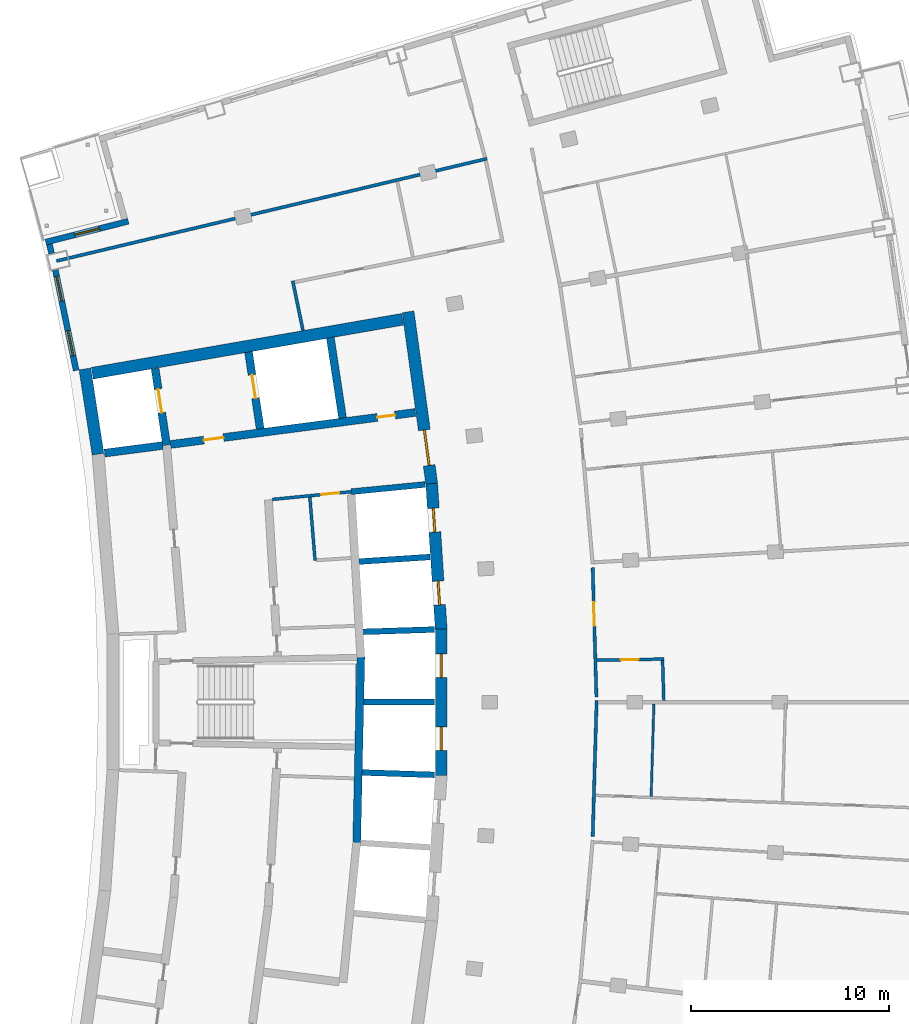
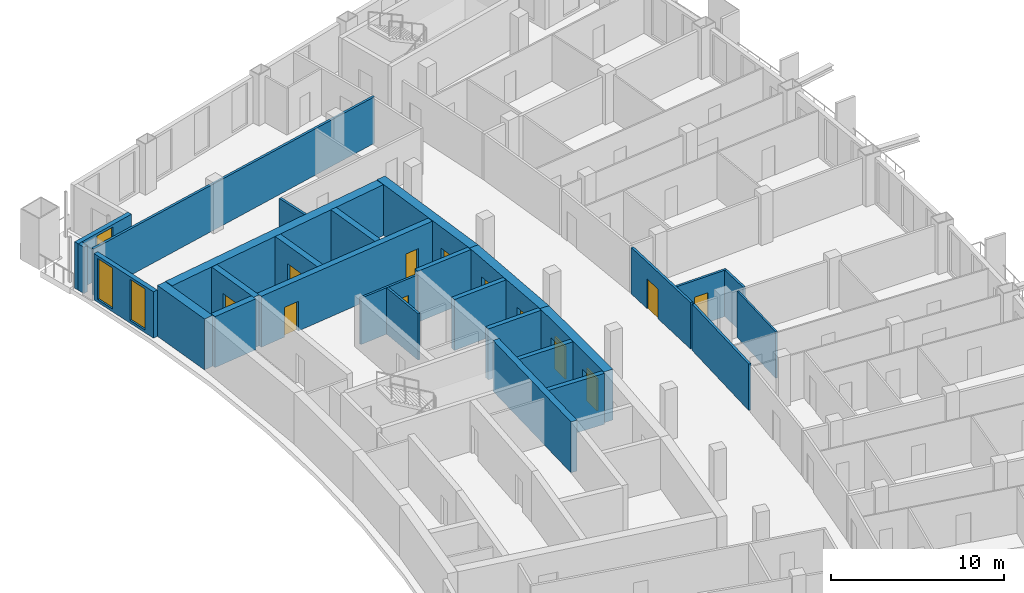
# One storey, part 12 of 17: 28 walls, 12 doors, 3 windows, 15 openings.
"""IFC4 building model written with IfcOpenShell, lengths in metres."""

from ifc_helpers import new_model, si_unit, direction, frame, frame_2d, origin, place, context, subcontext, project, spatial, rectangle, extrude, material, layer, layer_set, type_object, element, fill, save


model = new_model("IFC4")

# Units and contexts
model_context = context("Model", 3, precision=1e-05, world=origin(), true_north=direction((0.0, 1.0)))
body_context = subcontext(model_context, "Body", "Model", "MODEL_VIEW")
ifc_project = project(units=[si_unit("LENGTHUNIT", "METRE"), si_unit("AREAUNIT", "SQUARE_METRE"), si_unit("VOLUMEUNIT", "CUBIC_METRE"), si_unit("PLANEANGLEUNIT", "RADIAN"), si_unit("MASSUNIT", "GRAM", prefix="KILO")], contexts=[model_context])

# Site, building, storey
site_placement = place(None, origin())
site = spatial("IfcSite", under=ifc_project, at=site_placement, CompositionType="ELEMENT")
building_placement = place(site_placement, origin())
building = spatial("IfcBuilding", under=site, at=building_placement, Name="Alderwake Tower", CompositionType="ELEMENT")
storey_placement = place(building_placement, frame((0.0, 0.0, 214.39990234375)))
storey = spatial("IfcBuildingStorey", under=building, at=storey_placement, Name="L53", CompositionType="ELEMENT", Elevation=214.39990234375)

# Wall
ifc_material_1 = material(Name="Gypsum shaft wall system, rated")
ifc_layer_1 = layer(ifc_material_1, 0.14990234375)
ifc_layer_set_1 = layer_set([ifc_layer_1], Name="Core room partition 150")
wall_type_1 = type_object("IfcWallType", Name="Core room partition 150", PredefinedType="PARTITIONING", material=ifc_layer_set_1)
wall_1_placement = place(storey_placement, frame((26.9599609375, 68.170654296875, 0.0), z_axis=(0.0, 0.0, 1.0), x_axis=(-0.081803626558, 0.996648466954, 0.0)))
element("IfcWall", 1, at=wall_1_placement, inside=storey, type_object=wall_type_1, Name="CW/L53/PA+107_+70", PredefinedType="PARTITIONING", context=body_context, shape_type="SweptSolid", body=[
    extrude(rectangle(XDim=3.205322265625, YDim=0.14990234375, at=frame_2d((1.6025390625, 0.0))), origin(), (0.0, 0.0, 1.0), 3.280029296875),
])

# Wall, opening, door
wall_2_placement = place(storey_placement, frame((28.780517578125, 71.644287109375, 0.0), z_axis=(0.0, 0.0, 1.0), x_axis=(-0.995250000627, -0.097352125046, 0.0)))
wall_2 = element("IfcWall", 2, at=wall_2_placement, inside=storey, type_object=wall_type_1, Name="CW/L53/PR+102_+86", PredefinedType="PARTITIONING", context=body_context, shape_type="SweptSolid", body=[
    extrude(rectangle(XDim=4.0, YDim=0.14990234375, at=frame_2d((2.0, 0.0))), origin(), (0.0, 0.0, 1.0), 3.280029296875),
])
opening_1_placement = place(wall_2_placement, frame((0.60009765625, 0.0, 0.0)))
opening_1 = element("IfcOpeningElement", 3, at=opening_1_placement, cuts=wall_2, Name="Opening C022", PredefinedType="OPENING", context=body_context, shape_type="SweptSolid", body=[
    extrude(rectangle(XDim=0.89990234375, YDim=2.10009765625, at=frame_2d((0.449951171875, 1.050048828125))), frame((0.0, 0.0849609375, 0.0), z_axis=(0.0, -1.0, 0.0), x_axis=(1.0, 0.0, 0.0)), (0.0, 0.0, 1.0), 0.169921875),
])
ifc_material_2 = material(Name="Painted steel leaf", Category="steel")
door_type_1 = type_object("IfcDoorType", Name="Core room door 900", OperationType="SINGLE_SWING_LEFT", PredefinedType="DOOR", material=ifc_material_2)
door_1_placement = place(opening_1_placement, origin())
door_1 = element("IfcDoor", 4, at=door_1_placement, inside=storey, type_object=door_type_1, Name="Room door", OperationType="SINGLE_SWING_LEFT", OverallHeight=2.10009765625, OverallWidth=0.89990234375, PredefinedType="DOOR", context=body_context, shape_type="SweptSolid", body=[
    extrude(rectangle(XDim=0.89990234375, YDim=2.10009765625, at=frame_2d((0.449951171875, 1.050048828125))), frame((0.0, 0.02490234375, 0.0), z_axis=(0.0, -1.0, 0.0), x_axis=(1.0, 0.0, 0.0)), (0.0, 0.0, 1.0), 0.050048828125),
])
fill(opening_1, door_1)

# Wall
ifc_material_3 = material(Name="Concrete C70/85", Category="concrete")
ifc_layer_2 = layer(ifc_material_3, 0.60009765625)
ifc_layer_set_2 = layer_set([ifc_layer_2], Name="Core wall outer 600 C70-85")
wall_type_2 = type_object("IfcWallType", Name="Core wall outer 600 C70-85", PredefinedType="SHEAR", material=ifc_layer_set_2)
wall_3_placement = place(storey_placement, frame((15.984130859375, 73.54296875, 0.0), z_axis=(0.0, 0.0, 1.0), x_axis=(-0.151922578304, 0.988392396876, 0.0)))
element("IfcWall", 5, at=wall_3_placement, inside=storey, type_object=wall_type_2, Name="Core wall CW.034", PredefinedType="SHEAR", context=body_context, shape_type="SweptSolid", body=[
    extrude(rectangle(XDim=4.361328125, YDim=0.60009765625, at=frame_2d((2.1806640625, 0.0))), origin(), (0.0, 0.0, 1.0), 3.60009765625),
])

# Wall, openings, doors
wall_4_placement = place(storey_placement, frame((33.340087890625, 57.30322265625, 0.0), z_axis=(0.0, 0.0, 1.0), x_axis=(0.0, 1.0, 0.0)))
wall_4 = element("IfcWall", 6, at=wall_4_placement, inside=storey, type_object=wall_type_2, Name="Core wall CW.018", PredefinedType="SHEAR", context=body_context, shape_type="SweptSolid", body=[
    extrude(rectangle(XDim=7.3935546875, YDim=0.60009765625, at=frame_2d((3.69677734375, 0.0))), origin(), (0.0, 0.0, 1.0), 3.60009765625),
])
opening_2_placement = place(wall_4_placement, frame((1.25341796875, 0.0, 0.0)))
opening_2 = element("IfcOpeningElement", 7, at=opening_2_placement, cuts=wall_4, Name="Opening LD-HP3", PredefinedType="OPENING", context=body_context, shape_type="SweptSolid", body=[
    extrude(rectangle(XDim=1.199951171875, YDim=2.300048828125, at=frame_2d((0.60009765625, 1.14990234375))), frame((0.0, 0.31005859375, 0.0), z_axis=(0.0, -1.0, 0.0), x_axis=(1.0, 0.0, 0.0)), (0.0, 0.0, 1.0), 0.6201171875),
])
opening_3_placement = place(wall_4_placement, frame((4.940185546875, 0.0, 0.0)))
opening_3 = element("IfcOpeningElement", 8, at=opening_3_placement, cuts=wall_4, Name="Opening LD-HP4", PredefinedType="OPENING", context=body_context, shape_type="SweptSolid", body=[
    extrude(rectangle(XDim=1.199951171875, YDim=2.300048828125, at=frame_2d((0.60009765625, 1.14990234375))), frame((0.0, 0.31005859375, 0.0), z_axis=(0.0, -1.0, 0.0), x_axis=(1.0, 0.0, 0.0)), (0.0, 0.0, 1.0), 0.6201171875),
])
ifc_material_4 = material(Name="Stainless steel sliding leaf", Category="steel")
door_type_2 = type_object("IfcDoorType", Name="Lift landing door 1200", OperationType="SLIDING_TO_LEFT", PredefinedType="DOOR", material=ifc_material_4)
door_2_placement = place(opening_2_placement, origin())
door_2 = element("IfcDoor", 9, at=door_2_placement, inside=storey, type_object=door_type_2, Name="Lift landing door HP3", OperationType="SLIDING_TO_LEFT", OverallHeight=2.300048828125, OverallWidth=1.199951171875, PredefinedType="DOOR", context=body_context, shape_type="SweptSolid", body=[
    extrude(rectangle(XDim=1.199951171875, YDim=2.300048828125, at=frame_2d((0.60009765625, 1.14990234375))), frame((0.0, 0.050048828125, 0.0), z_axis=(0.0, -1.0, 0.0), x_axis=(1.0, 0.0, 0.0)), (0.0, 0.0, 1.0), 0.10009765625),
])
fill(opening_2, door_2)
door_3_placement = place(opening_3_placement, origin())
door_3 = element("IfcDoor", 10, at=door_3_placement, inside=storey, type_object=door_type_2, Name="Lift landing door HP4", OperationType="SLIDING_TO_LEFT", OverallHeight=2.300048828125, OverallWidth=1.199951171875, PredefinedType="DOOR", context=body_context, shape_type="SweptSolid", body=[
    extrude(rectangle(XDim=1.199951171875, YDim=2.300048828125, at=frame_2d((0.60009765625, 1.14990234375))), frame((0.0, 0.050048828125, 0.0), z_axis=(0.0, -1.0, 0.0), x_axis=(1.0, 0.0, 0.0)), (0.0, 0.0, 1.0), 0.10009765625),
])
fill(opening_3, door_3)

wall_5_placement = place(storey_placement, frame((33.3408203125, 64.67626953125, 0.0), z_axis=(0.0, 0.0, 1.0), x_axis=(-0.065013379938, 0.997884392317, 0.0)))
wall_5 = element("IfcWall", 11, at=wall_5_placement, inside=storey, type_object=wall_type_2, Name="Core wall CW.015", PredefinedType="SHEAR", context=body_context, shape_type="SweptSolid", body=[
    extrude(rectangle(XDim=7.39404296875, YDim=0.60009765625, at=frame_2d((3.697021484375, 0.0))), origin(), (0.0, 0.0, 1.0), 3.60009765625),
])
opening_4_placement = place(wall_5_placement, frame((1.253173828125, 0.0, 0.0)))
opening_4 = element("IfcOpeningElement", 12, at=opening_4_placement, cuts=wall_5, Name="Opening LD-HP5", PredefinedType="OPENING", context=body_context, shape_type="SweptSolid", body=[
    extrude(rectangle(XDim=1.199951171875, YDim=2.300048828125, at=frame_2d((0.60009765625, 1.14990234375))), frame((0.0, 0.31005859375, 0.0), z_axis=(0.0, -1.0, 0.0), x_axis=(1.0, 0.0, 0.0)), (0.0, 0.0, 1.0), 0.6201171875),
])
opening_5_placement = place(wall_5_placement, frame((4.940185546875, 0.0, 0.0)))
opening_5 = element("IfcOpeningElement", 13, at=opening_5_placement, cuts=wall_5, Name="Opening LD-HP6", PredefinedType="OPENING", context=body_context, shape_type="SweptSolid", body=[
    extrude(rectangle(XDim=1.199951171875, YDim=2.300048828125, at=frame_2d((0.60009765625, 1.14990234375))), frame((0.0, 0.31005859375, 0.0), z_axis=(0.0, -1.0, 0.0), x_axis=(1.0, 0.0, 0.0)), (0.0, 0.0, 1.0), 0.6201171875),
])
door_4_placement = place(opening_4_placement, origin())
door_4 = element("IfcDoor", 14, at=door_4_placement, inside=storey, type_object=door_type_2, Name="Lift landing door HP5", OperationType="SLIDING_TO_LEFT", OverallHeight=2.300048828125, OverallWidth=1.199951171875, PredefinedType="DOOR", context=body_context, shape_type="SweptSolid", body=[
    extrude(rectangle(XDim=1.199951171875, YDim=2.300048828125, at=frame_2d((0.60009765625, 1.14990234375))), frame((0.0, 0.050048828125, 0.0), z_axis=(0.0, -1.0, 0.0), x_axis=(1.0, 0.0, 0.0)), (0.0, 0.0, 1.0), 0.10009765625),
])
fill(opening_4, door_4)
door_5_placement = place(opening_5_placement, origin())
door_5 = element("IfcDoor", 15, at=door_5_placement, inside=storey, type_object=door_type_2, Name="Lift landing door HP6", OperationType="SLIDING_TO_LEFT", OverallHeight=2.300048828125, OverallWidth=1.199951171875, PredefinedType="DOOR", context=body_context, shape_type="SweptSolid", body=[
    extrude(rectangle(XDim=1.199951171875, YDim=2.300048828125, at=frame_2d((0.60009765625, 1.14990234375))), frame((0.0, 0.050048828125, 0.0), z_axis=(0.0, -1.0, 0.0), x_axis=(1.0, 0.0, 0.0)), (0.0, 0.0, 1.0), 0.10009765625),
])
fill(opening_5, door_5)

# Wall, opening, door
wall_6_placement = place(storey_placement, frame((31.66796875, 80.743896484375, 0.0), z_axis=(0.0, 0.0, 1.0), x_axis=(0.135856583698, -0.990728514108, 0.0)))
wall_6 = element("IfcWall", 16, at=wall_6_placement, inside=storey, type_object=wall_type_2, Name="Core wall CW.014", PredefinedType="SHEAR", context=body_context, shape_type="SweptSolid", body=[
    extrude(rectangle(XDim=8.79296875, YDim=0.60009765625, at=frame_2d((4.396484375, 0.0))), origin(), (0.0, 0.0, 1.0), 3.60009765625),
])
opening_6_placement = place(wall_6_placement, frame((6.038818359375, 0.0, 0.0)))
opening_6 = element("IfcOpeningElement", 17, at=opening_6_placement, cuts=wall_6, Name="Opening C001", PredefinedType="OPENING", context=body_context, shape_type="SweptSolid", body=[
    extrude(rectangle(XDim=1.800048828125, YDim=2.10009765625, at=frame_2d((0.89990234375, 1.050048828125))), frame((0.0, 0.31005859375, 0.0), z_axis=(0.0, -1.0, 0.0), x_axis=(1.0, 0.0, 0.0)), (0.0, 0.0, 1.0), 0.6201171875),
])
ifc_material_5 = material(Name="Steel-framed fire door leaves", Category="steel")
door_type_3 = type_object("IfcDoorType", Name="Core double door 1800 fire-rated", OperationType="DOUBLE_DOOR_SINGLE_SWING", PredefinedType="DOOR", material=ifc_material_5)
door_6_placement = place(opening_6_placement, origin())
door_6 = element("IfcDoor", 18, at=door_6_placement, inside=storey, type_object=door_type_3, Name="Lobby double door", OperationType="DOUBLE_DOOR_SINGLE_SWING", OverallHeight=2.10009765625, OverallWidth=1.800048828125, PredefinedType="DOOR", context=body_context, shape_type="SweptSolid", body=[
    extrude(rectangle(XDim=1.800048828125, YDim=2.10009765625, at=frame_2d((0.89990234375, 1.050048828125))), frame((0.0, 0.050048828125, 0.0), z_axis=(0.0, -1.0, 0.0), x_axis=(1.0, 0.0, 0.0)), (0.0, 0.0, 1.0), 0.10009765625),
])
fill(opening_6, door_6)

# Walls
wall_7_placement = place(storey_placement, frame((15.68896484375, 77.6357421875, 0.0), z_axis=(0.0, 0.0, 1.0), x_axis=(0.985223223422, 0.17127521721, 0.0)))
element("IfcWall", 19, at=wall_7_placement, inside=storey, type_object=wall_type_2, Name="Core wall CW.055", PredefinedType="SHEAR", context=body_context, shape_type="SweptSolid", body=[
    extrude(rectangle(XDim=15.933349609375, YDim=0.60009765625, at=frame_2d((7.966796875, 0.0))), origin(), (0.0, 0.0, 1.0), 3.60009765625),
])
ifc_material_6 = material(Name="Concrete C70/85", Category="concrete")
ifc_layer_3 = layer(ifc_material_6, 0.300048828125)
ifc_layer_set_3 = layer_set([ifc_layer_3], Name="Core wall shaft 300 C70-85")
wall_type_3 = type_object("IfcWallType", Name="Core wall shaft 300 C70-85", PredefinedType="SHEAR", material=ifc_layer_set_3)
wall_8_placement = place(storey_placement, frame((29.347412109375, 57.443603515625, 0.0), z_axis=(0.0, 0.0, 1.0), x_axis=(0.99946918462, -0.032578351638, 0.0)))
element("IfcWall", 20, at=wall_8_placement, inside=storey, type_object=wall_type_3, Name="Core wall CW.075", PredefinedType="SHEAR", context=body_context, shape_type="SweptSolid", body=[
    extrude(rectangle(XDim=3.66455078125, YDim=0.300048828125, at=frame_2d((1.832275390625, 0.0))), origin(), (0.0, 0.0, 1.0), 3.60009765625),
])
wall_9_placement = place(storey_placement, frame((29.426025390625, 61.0, 0.0), z_axis=(0.0, 0.0, 1.0), x_axis=(1.0, 0.0, 0.0)))
element("IfcWall", 21, at=wall_9_placement, inside=storey, type_object=wall_type_3, Name="Core wall CW.048", PredefinedType="SHEAR", context=body_context, shape_type="SweptSolid", body=[
    extrude(rectangle(XDim=3.583984375, YDim=0.300048828125, at=frame_2d((1.7919921875, 0.0))), origin(), (0.0, 0.0, 1.0), 3.60009765625),
])
wall_10_placement = place(storey_placement, frame((29.401611328125, 64.558349609375, 0.0), z_axis=(0.0, 0.0, 1.0), x_axis=(0.999470865009, 0.032526758191, 0.0)))
element("IfcWall", 22, at=wall_10_placement, inside=storey, type_object=wall_type_3, Name="Core wall CW.058", PredefinedType="SHEAR", context=body_context, shape_type="SweptSolid", body=[
    extrude(rectangle(XDim=3.6103515625, YDim=0.300048828125, at=frame_2d((1.80517578125, 0.0))), origin(), (0.0, 0.0, 1.0), 3.60009765625),
])
wall_11_placement = place(storey_placement, frame((29.193603515625, 68.110595703125, 0.0), z_axis=(0.0, 0.0, 1.0), x_axis=(0.997887597979, 0.064964157805, 0.0)))
element("IfcWall", 23, at=wall_11_placement, inside=storey, type_object=wall_type_3, Name="Core wall CW.061", PredefinedType="SHEAR", context=body_context, shape_type="SweptSolid", body=[
    extrude(rectangle(XDim=3.585205078125, YDim=0.300048828125, at=frame_2d((1.79248046875, 0.0))), origin(), (0.0, 0.0, 1.0), 3.60009765625),
])
wall_12_placement = place(storey_placement, frame((28.780517578125, 71.644287109375, 0.0), z_axis=(0.0, 0.0, 1.0), x_axis=(0.995245280185, 0.097400370992, 0.0)))
element("IfcWall", 24, at=wall_12_placement, inside=storey, type_object=wall_type_3, Name="Core wall CW.049", PredefinedType="SHEAR", context=body_context, shape_type="SweptSolid", body=[
    extrude(rectangle(XDim=3.769775390625, YDim=0.300048828125, at=frame_2d((1.884765625, 0.0))), origin(), (0.0, 0.0, 1.0), 3.60009765625),
])

# Wall, opening, door
ifc_material_7 = material(Name="Concrete C70/85", Category="concrete")
ifc_layer_4 = layer(ifc_material_7, 0.39990234375)
ifc_layer_set_4 = layer_set([ifc_layer_4], Name="Core wall spine 400 C70-85")
wall_type_4 = type_object("IfcWallType", Name="Core wall spine 400 C70-85", PredefinedType="SHEAR", material=ifc_layer_set_4)
wall_13_placement = place(storey_placement, frame((19.4541015625, 74.00048828125, 0.0), z_axis=(0.0, 0.0, 1.0), x_axis=(-0.148977743105, 0.98884054936, 0.0)))
wall_13 = element("IfcWall", 25, at=wall_13_placement, inside=storey, type_object=wall_type_4, Name="Core wall CW.030", PredefinedType="SHEAR", context=body_context, shape_type="SweptSolid", body=[
    extrude(rectangle(XDim=3.9150390625, YDim=0.39990234375, at=frame_2d((1.95751953125, 0.0))), origin(), (0.0, 0.0, 1.0), 3.60009765625),
])
opening_7_placement = place(wall_13_placement, frame((1.6611328125, 0.0, 0.0)))
opening_7 = element("IfcOpeningElement", 26, at=opening_7_placement, cuts=wall_13, Name="Opening LD-FF1", PredefinedType="OPENING", context=body_context, shape_type="SweptSolid", body=[
    extrude(rectangle(XDim=1.199951171875, YDim=2.300048828125, at=frame_2d((0.60009765625, 1.14990234375))), frame((0.0, 0.2099609375, 0.0), z_axis=(0.0, -1.0, 0.0), x_axis=(1.0, 0.0, 0.0)), (0.0, 0.0, 1.0), 0.419921875),
])
door_7_placement = place(opening_7_placement, origin())
door_7 = element("IfcDoor", 27, at=door_7_placement, inside=storey, type_object=door_type_2, Name="Lift landing door FF1", OperationType="SLIDING_TO_LEFT", OverallHeight=2.300048828125, OverallWidth=1.199951171875, PredefinedType="DOOR", context=body_context, shape_type="SweptSolid", body=[
    extrude(rectangle(XDim=1.199951171875, YDim=2.300048828125, at=frame_2d((0.60009765625, 1.14990234375))), frame((0.0, 0.02490234375, 0.0), z_axis=(0.0, -1.0, 0.0), x_axis=(1.0, 0.0, 0.0)), (0.0, 0.0, 1.0), 0.050048828125),
])
fill(opening_7, door_7)

wall_14_placement = place(storey_placement, frame((24.186279296875, 74.82861328125, 0.0), z_axis=(0.0, 0.0, 1.0), x_axis=(-0.150092938275, 0.988671891924, 0.0)))
wall_14 = element("IfcWall", 28, at=wall_14_placement, inside=storey, type_object=wall_type_4, Name="Core wall CW.044", PredefinedType="SHEAR", context=body_context, shape_type="SweptSolid", body=[
    extrude(rectangle(XDim=3.92333984375, YDim=0.39990234375, at=frame_2d((1.961669921875, 0.0))), origin(), (0.0, 0.0, 1.0), 3.60009765625),
])
opening_8_placement = place(wall_14_placement, frame((1.561767578125, 0.0, 0.0)))
opening_8 = element("IfcOpeningElement", 29, at=opening_8_placement, cuts=wall_14, Name="Opening LD-FF2", PredefinedType="OPENING", context=body_context, shape_type="SweptSolid", body=[
    extrude(rectangle(XDim=1.199951171875, YDim=2.300048828125, at=frame_2d((0.60009765625, 1.14990234375))), frame((0.0, 0.2099609375, 0.0), z_axis=(0.0, -1.0, 0.0), x_axis=(1.0, 0.0, 0.0)), (0.0, 0.0, 1.0), 0.419921875),
])
door_8_placement = place(opening_8_placement, origin())
door_8 = element("IfcDoor", 30, at=door_8_placement, inside=storey, type_object=door_type_2, Name="Lift landing door FF2", OperationType="SLIDING_TO_LEFT", OverallHeight=2.300048828125, OverallWidth=1.199951171875, PredefinedType="DOOR", context=body_context, shape_type="SweptSolid", body=[
    extrude(rectangle(XDim=1.199951171875, YDim=2.300048828125, at=frame_2d((0.60009765625, 1.14990234375))), frame((0.0, 0.02490234375, 0.0), z_axis=(0.0, -1.0, 0.0), x_axis=(1.0, 0.0, 0.0)), (0.0, 0.0, 1.0), 0.050048828125),
])
fill(opening_8, door_8)

# Walls
wall_15_placement = place(storey_placement, frame((29.06884765625, 53.889404296875, 0.0), z_axis=(0.0, 0.0, 1.0), x_axis=(0.022115148322, 0.9997554302, 0.0)))
element("IfcWall", 31, at=wall_15_placement, inside=storey, type_object=wall_type_4, Name="Core wall CW.008", PredefinedType="SHEAR", context=body_context, shape_type="SweptSolid", body=[
    extrude(rectangle(XDim=9.39453125, YDim=0.39990234375, at=frame_2d((4.697265625, 0.0))), origin(), (0.0, 0.0, 1.0), 3.60009765625),
])
wall_16_placement = place(storey_placement, frame((28.350830078125, 75.373291015625, 0.0), z_axis=(0.0, 0.0, 1.0), x_axis=(-0.150143035921, 0.988664285167, 0.0)))
element("IfcWall", 32, at=wall_16_placement, inside=storey, type_object=wall_type_4, Name="Core wall CW.001", PredefinedType="SHEAR", context=body_context, shape_type="SweptSolid", body=[
    extrude(rectangle(XDim=4.1123046875, YDim=0.39990234375, at=frame_2d((2.05615234375, 0.0))), origin(), (0.0, 0.0, 1.0), 3.60009765625),
])
wall_17_placement = place(storey_placement, frame((16.31005859375, 73.5966796875, 0.0), z_axis=(0.0, 0.0, 1.0), x_axis=(0.99155863891, 0.12965903595, 0.0)))
element("IfcWall", 33, at=wall_17_placement, inside=storey, type_object=wall_type_4, Name="Core wall CW.051", PredefinedType="SHEAR", context=body_context, shape_type="SweptSolid", body=[
    extrude(rectangle(XDim=2.969482421875, YDim=0.39990234375, at=frame_2d((1.48486328125, 0.0))), origin(), (0.0, 0.0, 1.0), 3.60009765625),
])

# Wall, openings, doors
wall_18_placement = place(storey_placement, frame((32.032958984375, 75.653076171875, 0.0), z_axis=(0.0, 0.0, 1.0), x_axis=(-0.991554886316, -0.129687730428, 0.0)))
wall_18 = element("IfcWall", 34, at=wall_18_placement, inside=storey, type_object=wall_type_4, Name="Core wall CW.052", PredefinedType="SHEAR", context=body_context, shape_type="SweptSolid", body=[
    extrude(rectangle(XDim=12.48681640625, YDim=0.39990234375, at=frame_2d((6.243408203125, 0.0))), origin(), (0.0, 0.0, 1.0), 3.60009765625),
])
opening_9_placement = place(wall_18_placement, frame((9.787109375, 0.0, 0.0)))
opening_9 = element("IfcOpeningElement", 35, at=opening_9_placement, cuts=wall_18, Name="Opening C002", PredefinedType="OPENING", context=body_context, shape_type="SweptSolid", body=[
    extrude(rectangle(XDim=1.0, YDim=2.10009765625, at=frame_2d((0.5, 1.050048828125))), frame((0.0, 0.2099609375, 0.0), z_axis=(0.0, -1.0, 0.0), x_axis=(1.0, 0.0, 0.0)), (0.0, 0.0, 1.0), 0.419921875),
])
opening_10_placement = place(wall_18_placement, frame((1.037109375, 0.0, 0.0)))
opening_10 = element("IfcOpeningElement", 36, at=opening_10_placement, cuts=wall_18, Name="Opening C020", PredefinedType="OPENING", context=body_context, shape_type="SweptSolid", body=[
    extrude(rectangle(XDim=0.89990234375, YDim=2.10009765625, at=frame_2d((0.449951171875, 1.050048828125))), frame((0.0, 0.2099609375, 0.0), z_axis=(0.0, -1.0, 0.0), x_axis=(1.0, 0.0, 0.0)), (0.0, 0.0, 1.0), 0.419921875),
])
door_9_placement = place(opening_10_placement, origin())
door_9 = element("IfcDoor", 37, at=door_9_placement, inside=storey, type_object=door_type_1, Name="Room door", OperationType="SINGLE_SWING_RIGHT", OverallHeight=2.10009765625, OverallWidth=0.89990234375, PredefinedType="DOOR", context=body_context, shape_type="SweptSolid", body=[
    extrude(rectangle(XDim=0.89990234375, YDim=2.10009765625, at=frame_2d((0.449951171875, 1.050048828125))), frame((0.0, 0.02490234375, 0.0), z_axis=(0.0, -1.0, 0.0), x_axis=(1.0, 0.0, 0.0)), (0.0, 0.0, 1.0), 0.050048828125),
])
fill(opening_10, door_9)
ifc_material_8 = material(Name="Steel-framed fire door leaf", Category="steel")
door_type_4 = type_object("IfcDoorType", Name="Firefighting lobby door 1000 fire-rated", OperationType="SINGLE_SWING_LEFT", PredefinedType="DOOR", material=ifc_material_8)
door_10_placement = place(opening_9_placement, origin())
door_10 = element("IfcDoor", 38, at=door_10_placement, inside=storey, type_object=door_type_4, Name="Firefighting lobby door", OperationType="SINGLE_SWING_RIGHT", OverallHeight=2.10009765625, OverallWidth=1.0, PredefinedType="DOOR", context=body_context, shape_type="SweptSolid", body=[
    extrude(rectangle(XDim=1.0, YDim=2.10009765625, at=frame_2d((0.5, 1.050048828125))), frame((0.0, 0.02490234375, 0.0), z_axis=(0.0, -1.0, 0.0), x_axis=(1.0, 0.0, 0.0)), (0.0, 0.0, 1.0), 0.050048828125),
])
fill(opening_9, door_10)

# Walls
ifc_material_9 = material(Name="Gypsum board on metal studs, rated")
ifc_layer_5 = layer(ifc_material_9, 0.159912109375)
ifc_layer_set_5 = layer_set([ifc_layer_5], Name="Corridor wall 160")
wall_type_5 = type_object("IfcWallType", Name="Corridor wall 160", PredefinedType="PARTITIONING", material=ifc_layer_set_5)
wall_19_placement = place(storey_placement, frame((13.884033203125, 83.31298828125, 0.0), z_axis=(0.0, 0.0, 1.0), x_axis=(0.972893462073, 0.231253781493, 0.0)))
element("IfcWall", 39, at=wall_19_placement, inside=storey, type_object=wall_type_5, Name="WL/L53/W09", PredefinedType="PARTITIONING", context=body_context, shape_type="SweptSolid", body=[
    extrude(rectangle(XDim=22.38037109375, YDim=0.159912109375, at=frame_2d((11.190185546875, 0.0))), origin(), (0.0, 0.0, 1.0), 3.280029296875),
])
wall_20_placement = place(storey_placement, frame((25.831787109375, 82.305419921875, 0.0), z_axis=(0.0, 0.0, 1.0), x_axis=(0.202450797205, -0.979292435747, 0.0)))
element("IfcWall", 40, at=wall_20_placement, inside=storey, type_object=wall_type_5, Name="WL/L53/W12", PredefinedType="PARTITIONING", context=body_context, shape_type="SweptSolid", body=[
    extrude(rectangle(XDim=2.555419921875, YDim=0.159912109375, at=frame_2d((1.27783203125, 0.0))), origin(), (0.0, 0.0, 1.0), 3.280029296875),
])
wall_21_placement = place(storey_placement, frame((41.002685546875, 54.20068359375, 0.0), z_axis=(0.0, 0.0, 1.0), x_axis=(0.028879835058, 0.999582890573, 0.0)))
element("IfcWall", 41, at=wall_21_placement, inside=storey, type_object=wall_type_5, Name="WL/L53/W23", PredefinedType="PARTITIONING", context=body_context, shape_type="SweptSolid", body=[
    extrude(rectangle(XDim=6.88134765625, YDim=0.159912109375, at=frame_2d((3.440673828125, 0.0))), origin(), (0.0, 0.0, 1.0), 3.280029296875),
])

# Wall, opening, door
wall_22_placement = place(storey_placement, frame((41.002685546875, 67.80029296875, 0.0), z_axis=(0.0, 0.0, 1.0), x_axis=(0.02886788617, -0.999583235728, 0.0)))
wall_22 = element("IfcWall", 42, at=wall_22_placement, inside=storey, type_object=wall_type_5, Name="WL/L53/W25", PredefinedType="PARTITIONING", context=body_context, shape_type="SweptSolid", body=[
    extrude(rectangle(XDim=6.537353515625, YDim=0.159912109375, at=frame_2d((3.2685546875, 0.0))), origin(), (0.0, 0.0, 1.0), 3.280029296875),
])
opening_11_placement = place(wall_22_placement, frame((1.7412109375, 0.0, 0.0)))
opening_11 = element("IfcOpeningElement", 43, at=opening_11_placement, cuts=wall_22, Name="Opening R15-AM1.1", PredefinedType="OPENING", context=body_context, shape_type="SweptSolid", body=[
    extrude(rectangle(XDim=1.199951171875, YDim=2.10009765625, at=frame_2d((0.60009765625, 1.050048828125))), frame((0.0, 0.08984375, 0.0), z_axis=(0.0, -1.0, 0.0), x_axis=(1.0, 0.0, 0.0)), (0.0, 0.0, 1.0), 0.179931640625),
])
ifc_material_10 = material(Name="Steel-framed fire door leaf", Category="steel")
door_type_5 = type_object("IfcDoorType", Name="Lobby door 1200 fire-rated", OperationType="SINGLE_SWING_LEFT", PredefinedType="DOOR", material=ifc_material_10)
door_11_placement = place(opening_11_placement, origin())
door_11 = element("IfcDoor", 44, at=door_11_placement, inside=storey, type_object=door_type_5, Name="DR/L53/AM1.1", OperationType="SINGLE_SWING_LEFT", OverallHeight=2.10009765625, OverallWidth=1.199951171875, PredefinedType="DOOR", context=body_context, shape_type="SweptSolid", body=[
    extrude(rectangle(XDim=1.199951171875, YDim=2.10009765625, at=frame_2d((0.60009765625, 1.050048828125))), frame((0.0, 0.02490234375, 0.0), z_axis=(0.0, -1.0, 0.0), x_axis=(1.0, 0.0, 0.0)), (0.0, 0.0, 1.0), 0.050048828125),
])
fill(opening_11, door_11)

# Wall
ifc_material_11 = material(Name="Precast concrete C50/60 spandrel panel", Category="concrete")
ifc_layer_6 = layer(ifc_material_11, 0.300048828125)
ifc_layer_set_6 = layer_set([ifc_layer_6], Name="External wall EW1 Precast concrete C50/60 spandrel")
wall_type_6 = type_object("IfcWallType", Name="External wall EW1 Precast concrete C50/60 spandrel", PredefinedType="SOLIDWALL", material=ifc_layer_set_6)
wall_23_placement = place(storey_placement, frame((13.523193359375, 84.1572265625, 0.0), z_axis=(0.0, 0.0, 1.0), x_axis=(0.238448700846, -0.971155094238, 0.0)))
element("IfcWall", 45, at=wall_23_placement, inside=storey, type_object=wall_type_6, Name="External wall 30", PredefinedType="SOLIDWALL", context=body_context, shape_type="SweptSolid", body=[
    extrude(rectangle(XDim=0.47802734375, YDim=0.300048828125, at=frame_2d((0.239013671875, 0.0))), origin(), (0.0, 0.0, 1.0), 3.280029296875),
])

# Wall, openings, windows
wall_24_placement = place(storey_placement, frame((13.826904296875, 82.8544921875, 0.0), z_axis=(0.0, 0.0, 1.0), x_axis=(0.202730149235, -0.979234643276, 0.0)))
wall_24 = element("IfcWall", 46, at=wall_24_placement, inside=storey, type_object=wall_type_6, Name="External wall 31", PredefinedType="SOLIDWALL", context=body_context, shape_type="SweptSolid", body=[
    extrude(rectangle(XDim=5.185546875, YDim=0.300048828125, at=frame_2d((2.5927734375, 0.0))), origin(), (0.0, 0.0, 1.0), 3.280029296875),
])
opening_12_placement = place(wall_24_placement, frame((0.316162109375, 0.0, 0.199951171875)))
opening_12 = element("IfcOpeningElement", 47, at=opening_12_placement, cuts=wall_24, Name="Opening W1", PredefinedType="OPENING", context=body_context, shape_type="SweptSolid", body=[
    extrude(rectangle(XDim=1.300048828125, YDim=2.89990234375, at=frame_2d((0.64990234375, 1.449951171875))), frame((0.0, 0.159912109375, 0.0), z_axis=(0.0, -1.0, 0.0), x_axis=(1.0, 0.0, 0.0)), (0.0, 0.0, 1.0), 0.320068359375),
])
opening_13_placement = place(wall_24_placement, frame((3.12890625, 0.0, 0.199951171875)))
opening_13 = element("IfcOpeningElement", 48, at=opening_13_placement, cuts=wall_24, Name="Opening W1", PredefinedType="OPENING", context=body_context, shape_type="SweptSolid", body=[
    extrude(rectangle(XDim=1.300048828125, YDim=2.89990234375, at=frame_2d((0.64990234375, 1.449951171875))), frame((0.0, 0.159912109375, 0.0), z_axis=(0.0, -1.0, 0.0), x_axis=(1.0, 0.0, 0.0)), (0.0, 0.0, 1.0), 0.320068359375),
])
ifc_material_12 = material(Name="Bronze tinted glass in aluminium frame", Category="aluminium")
window_type = type_object("IfcWindowType", Name="Window W1 tall fixed and vent", PartitioningType="DOUBLE_PANEL_VERTICAL", PredefinedType="WINDOW", material=ifc_material_12)
window_1_placement = place(opening_12_placement, origin())
window_1 = element("IfcWindow", 49, at=window_1_placement, inside=storey, type_object=window_type, Name="Window W1 tall fixed and vent", OverallHeight=2.89990234375, OverallWidth=1.300048828125, PartitioningType="DOUBLE_PANEL_VERTICAL", PredefinedType="WINDOW", context=body_context, shape_type="SweptSolid", body=[
    extrude(rectangle(XDim=1.300048828125, YDim=2.89990234375, at=frame_2d((0.64990234375, 1.449951171875))), frame((0.0, 0.030029296875, 0.0), z_axis=(0.0, -1.0, 0.0), x_axis=(1.0, 0.0, 0.0)), (0.0, 0.0, 1.0), 0.06005859375),
])
fill(opening_12, window_1)
window_2_placement = place(opening_13_placement, origin())
window_2 = element("IfcWindow", 50, at=window_2_placement, inside=storey, type_object=window_type, Name="Window W1 tall fixed and vent", OverallHeight=2.89990234375, OverallWidth=1.300048828125, PartitioningType="DOUBLE_PANEL_VERTICAL", PredefinedType="WINDOW", context=body_context, shape_type="SweptSolid", body=[
    extrude(rectangle(XDim=1.300048828125, YDim=2.89990234375, at=frame_2d((0.64990234375, 1.449951171875))), frame((0.0, 0.030029296875, 0.0), z_axis=(0.0, -1.0, 0.0), x_axis=(1.0, 0.0, 0.0)), (0.0, 0.0, 1.0), 0.06005859375),
])
fill(opening_13, window_2)

# Wall, opening, window
ifc_material_13 = material(Name="Bronze metal cladding on lightweight framing")
ifc_layer_7 = layer(ifc_material_13, 0.300048828125)
ifc_layer_set_7 = layer_set([ifc_layer_7], Name="External wall EW2 bronze metal cladding")
wall_type_7 = type_object("IfcWallType", Name="External wall EW2 bronze metal cladding", PredefinedType="SOLIDWALL", material=ifc_layer_set_7)
wall_25_placement = place(storey_placement, frame((17.51611328125, 85.32275390625, 0.0), z_axis=(0.0, 0.0, 1.0), x_axis=(-0.969417740682, -0.245416470617, 0.0)))
wall_25 = element("IfcWall", 51, at=wall_25_placement, inside=storey, type_object=wall_type_7, Name="External wall 29", PredefinedType="SOLIDWALL", context=body_context, shape_type="SweptSolid", body=[
    extrude(rectangle(XDim=4.305419921875, YDim=0.300048828125, at=frame_2d((2.15283203125, 0.0))), origin(), (0.0, 0.0, 1.0), 3.280029296875),
])
opening_14_placement = place(wall_25_placement, frame((1.502685546875, 0.0, 0.199951171875)))
opening_14 = element("IfcOpeningElement", 52, at=opening_14_placement, cuts=wall_25, Name="Opening W1", PredefinedType="OPENING", context=body_context, shape_type="SweptSolid", body=[
    extrude(rectangle(XDim=1.300048828125, YDim=2.89990234375, at=frame_2d((0.64990234375, 1.449951171875))), frame((0.0, 0.159912109375, 0.0), z_axis=(0.0, -1.0, 0.0), x_axis=(1.0, 0.0, 0.0)), (0.0, 0.0, 1.0), 0.320068359375),
])
window_3_placement = place(opening_14_placement, origin())
window_3 = element("IfcWindow", 53, at=window_3_placement, inside=storey, type_object=window_type, Name="Window W1 tall fixed and vent", OverallHeight=2.89990234375, OverallWidth=1.300048828125, PartitioningType="DOUBLE_PANEL_VERTICAL", PredefinedType="WINDOW", context=body_context, shape_type="SweptSolid", body=[
    extrude(rectangle(XDim=1.300048828125, YDim=2.89990234375, at=frame_2d((0.64990234375, 1.449951171875))), frame((0.0, 0.030029296875, 0.0), z_axis=(0.0, -1.0, 0.0), x_axis=(1.0, 0.0, 0.0)), (0.0, 0.0, 1.0), 0.06005859375),
])
fill(opening_14, window_3)

# Wall, opening, door
ifc_material_14 = material(Name="Gypsum shaft wall system, rated")
ifc_layer_8 = layer(ifc_material_14, 0.14990234375)
ifc_layer_set_8 = layer_set([ifc_layer_8], Name="Riser and shaft wall 150")
wall_type_8 = type_object("IfcWallType", Name="Riser and shaft wall 150", PredefinedType="PARTITIONING", material=ifc_layer_set_8)
wall_26_placement = place(storey_placement, frame((44.610107421875, 63.181396484375, 0.0), z_axis=(0.0, 0.0, 1.0), x_axis=(-0.999843204507, -0.017707806214, 0.0)))
wall_26 = element("IfcWall", 54, at=wall_26_placement, inside=storey, type_object=wall_type_8, Name="WL/L53/W06", PredefinedType="PARTITIONING", context=body_context, shape_type="SweptSolid", body=[
    extrude(rectangle(XDim=3.3916015625, YDim=0.14990234375, at=frame_2d((1.69580078125, 0.0))), origin(), (0.0, 0.0, 1.0), 3.280029296875),
])
opening_15_placement = place(wall_26_placement, frame((1.28271484375, 0.0, 0.0)))
opening_15 = element("IfcOpeningElement", 55, at=opening_15_placement, cuts=wall_26, Name="Opening R15-AM1.2", PredefinedType="OPENING", context=body_context, shape_type="SweptSolid", body=[
    extrude(rectangle(XDim=0.89990234375, YDim=2.10009765625, at=frame_2d((0.449951171875, 1.050048828125))), frame((0.0, 0.0849609375, 0.0), z_axis=(0.0, -1.0, 0.0), x_axis=(1.0, 0.0, 0.0)), (0.0, 0.0, 1.0), 0.169921875),
])
ifc_material_15 = material(Name="Painted timber leaf", Category="wood")
door_type_6 = type_object("IfcDoorType", Name="Room door 900", OperationType="SINGLE_SWING_LEFT", PredefinedType="DOOR", material=ifc_material_15)
door_12_placement = place(opening_15_placement, origin())
door_12 = element("IfcDoor", 56, at=door_12_placement, inside=storey, type_object=door_type_6, Name="DR/L53/AM1.2", OperationType="SINGLE_SWING_LEFT", OverallHeight=2.10009765625, OverallWidth=0.89990234375, PredefinedType="DOOR", context=body_context, shape_type="SweptSolid", body=[
    extrude(rectangle(XDim=0.89990234375, YDim=2.10009765625, at=frame_2d((0.449951171875, 1.050048828125))), frame((0.0, 0.02490234375, 0.0), z_axis=(0.0, -1.0, 0.0), x_axis=(1.0, 0.0, 0.0)), (0.0, 0.0, 1.0), 0.050048828125),
])
fill(opening_15, door_12)

# Walls
wall_27_placement = place(storey_placement, frame((44.5986328125, 61.0791015625, 0.0), z_axis=(0.0, 0.0, 1.0), x_axis=(-0.030234424158, 0.999542835298, 0.0)))
element("IfcWall", 57, at=wall_27_placement, inside=storey, type_object=wall_type_8, Name="WL/L53/W07", PredefinedType="PARTITIONING", context=body_context, shape_type="SweptSolid", body=[
    extrude(rectangle(XDim=2.02685546875, YDim=0.14990234375, at=frame_2d((1.013427734375, 0.0))), origin(), (0.0, 0.0, 1.0), 3.280029296875),
])
ifc_material_16 = material(Name="Moisture resistant gypsum board on metal studs")
ifc_layer_9 = layer(ifc_material_16, 0.1201171875)
ifc_layer_set_9 = layer_set([ifc_layer_9], Name="Wet room partition 120")
wall_type_9 = type_object("IfcWallType", Name="Wet room partition 120", PredefinedType="PARTITIONING", material=ifc_layer_set_9)
wall_28_placement = place(storey_placement, frame((43.96044921875, 56.22802734375, 0.0), z_axis=(0.0, 0.0, 1.0), x_axis=(0.029237001624, 0.999572507493, 0.0)))
element("IfcWall", 58, at=wall_28_placement, inside=storey, type_object=wall_type_9, Name="WL/L53/W38", PredefinedType="PARTITIONING", context=body_context, shape_type="SweptSolid", body=[
    extrude(rectangle(XDim=4.69287109375, YDim=0.1201171875, at=frame_2d((2.346435546875, 0.0))), origin(), (0.0, 0.0, 1.0), 3.280029296875),
])

save(model, "model.ifc")
